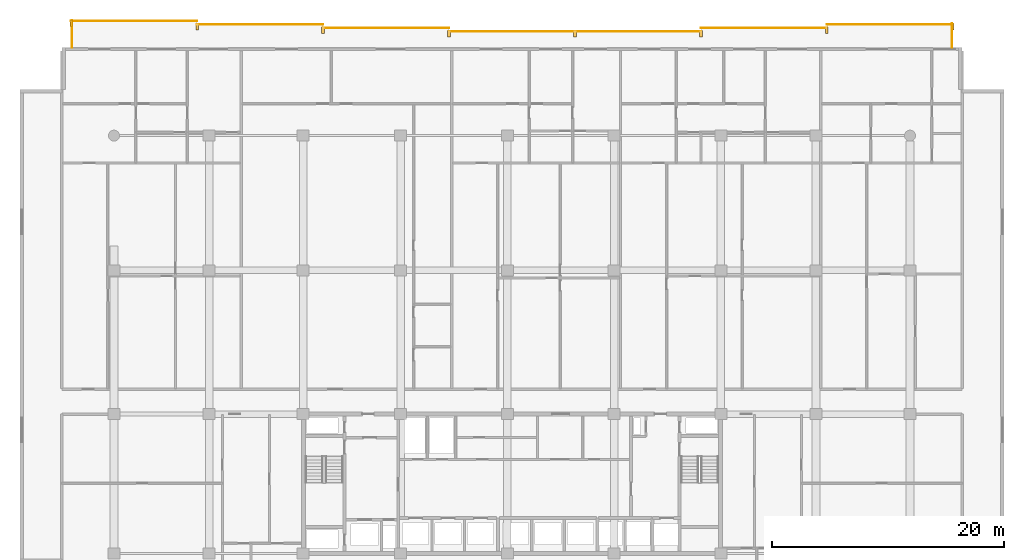
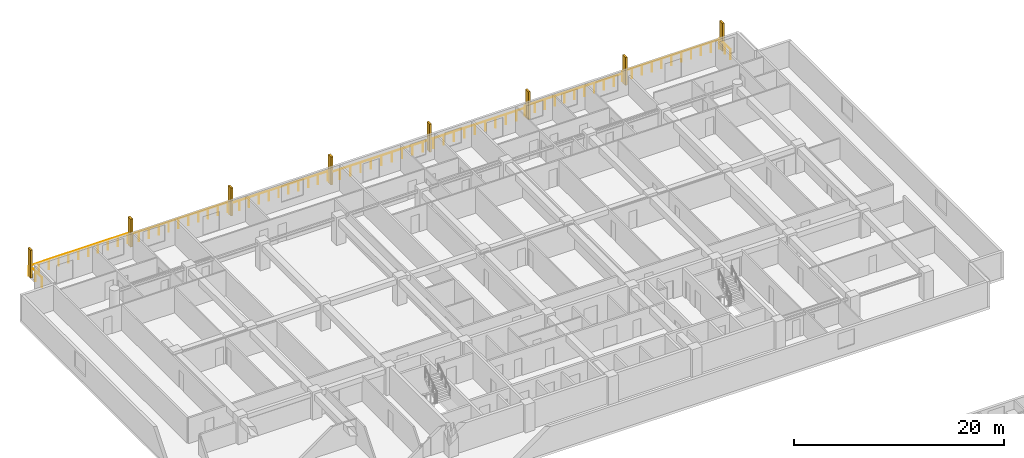
# One storey, part 24 of 24: 8 railings, 8 shading devices.
"""IFC4 building model written with IfcOpenShell, lengths in metres."""

from ifc_helpers import new_model, si_unit, direction, frame, origin, origin_2d, place, context, subcontext, project, spatial, rectangle, circle, extrude, material, type_object, element, save


model = new_model("IFC4")

# Units and contexts
model_context = context("Model", 3, precision=1e-05, world=origin(), true_north=direction((0.0, 1.0)))
body_context = subcontext(model_context, "Body", "Model", "MODEL_VIEW")
ifc_project = project(units=[si_unit("LENGTHUNIT", "METRE"), si_unit("AREAUNIT", "SQUARE_METRE"), si_unit("VOLUMEUNIT", "CUBIC_METRE"), si_unit("PLANEANGLEUNIT", "RADIAN"), si_unit("MASSUNIT", "GRAM", prefix="KILO")], contexts=[model_context])

# Site, building, storey
site_placement = place(None, origin())
site = spatial("IfcSite", under=ifc_project, at=site_placement, CompositionType="ELEMENT")
building_placement = place(site_placement, origin())
building = spatial("IfcBuilding", under=site, at=building_placement, Name="Korimba Cascade Residences", CompositionType="ELEMENT")
storey_placement = place(building_placement, frame((0.0, 0.0, 43.5)))
storey = spatial("IfcBuildingStorey", under=building, at=storey_placement, Name="L11", CompositionType="ELEMENT", Elevation=43.5)

# Railings
ifc_material_1 = material(Name="Laminated Glass and Bronze Balustrade", Category="glass")
railing_type = type_object("IfcRailingType", Name="RLG-LOG-1150", PredefinedType="BALUSTRADE", material=ifc_material_1)
railing_1_placement = place(storey_placement, frame((132.02001953125, 98.800048828125, 0.0)))
element("IfcRailing", 1, at=railing_1_placement, inside=storey, type_object=railing_type, Name="L11 Perimeter Guardrail RLG-L11-T1-LOG-01", PredefinedType="BALUSTRADE", context=body_context, shape_type="SweptSolid", body=[
    extrude(circle(Radius=0.02392578125, at=origin_2d()), frame((0.0, 0.0, 1.1259765625), z_axis=(0.0, 1.0, 0.0), x_axis=(-1.0, 0.0, 0.0)), (0.0, 0.0, 1.0), 2.050048828125),
    extrude(circle(Radius=0.02099609375, at=origin_2d()), origin(), (0.0, 0.0, 1.0), 1.101806640625),
    extrude(circle(Radius=0.02099609375, at=origin_2d()), frame((0.0, 1.02490234375, 0.0)), (0.0, 0.0, 1.0), 1.101806640625),
    extrude(circle(Radius=0.02099609375, at=origin_2d()), frame((0.0, 2.050048828125, 0.0)), (0.0, 0.0, 1.0), 1.101806640625),
])
for number, where, name in (
    (2, (132.10009765625, 100.77001953125, 0.0), "L11 Perimeter Guardrail RLG-L11-T1-LOG-02"),
    (3, (121.242919921875, 100.469970703125, 0.0), "L11 Perimeter Guardrail RLG-L11-T1-LOG-03"),
):
    element("IfcRailing", number, at=place(storey_placement, frame(where)), inside=storey, type_object=railing_type, Name=name, PredefinedType="BALUSTRADE", context=body_context, shape_type="SweptSolid", body=[
        extrude(circle(Radius=0.02392578125, at=origin_2d()), frame((0.0, 0.0, 1.1259765625), z_axis=(-1.0, 0.0, 0.0), x_axis=(0.0, -1.0, 0.0)), (0.0, 0.0, 1.0), 10.857177734375),
        extrude(circle(Radius=0.02099609375, at=origin_2d()), origin(), (0.0, 0.0, 1.0), 1.101806640625),
        extrude(circle(Radius=0.02099609375, at=origin_2d()), frame((-1.085693359375, 0.0, 0.0)), (0.0, 0.0, 1.0), 1.101806640625),
        extrude(circle(Radius=0.02099609375, at=origin_2d()), frame((-2.17138671875, 0.0, 0.0)), (0.0, 0.0, 1.0), 1.101806640625),
        extrude(circle(Radius=0.02099609375, at=origin_2d()), frame((-3.257080078125, 0.0, 0.0)), (0.0, 0.0, 1.0), 1.101806640625),
        extrude(circle(Radius=0.02099609375, at=origin_2d()), frame((-4.3427734375, 0.0, 0.0)), (0.0, 0.0, 1.0), 1.101806640625),
        extrude(circle(Radius=0.02099609375, at=origin_2d()), frame((-5.4287109375, 0.0, 0.0)), (0.0, 0.0, 1.0), 1.101806640625),
        extrude(circle(Radius=0.02099609375, at=origin_2d()), frame((-6.514404296875, 0.0, 0.0)), (0.0, 0.0, 1.0), 1.101806640625),
        extrude(circle(Radius=0.02099609375, at=origin_2d()), frame((-7.60009765625, 0.0, 0.0)), (0.0, 0.0, 1.0), 1.101806640625),
        extrude(circle(Radius=0.02099609375, at=origin_2d()), frame((-8.685791015625, 0.0, 0.0)), (0.0, 0.0, 1.0), 1.101806640625),
        extrude(circle(Radius=0.02099609375, at=origin_2d()), frame((-9.771484375, 0.0, 0.0)), (0.0, 0.0, 1.0), 1.101806640625),
        extrude(circle(Radius=0.02099609375, at=origin_2d()), frame((-10.857177734375, 0.0, 0.0)), (0.0, 0.0, 1.0), 1.101806640625),
    ])
railing_2_placement = place(storey_placement, frame((110.3857421875, 100.169921875, 0.0)))
element("IfcRailing", 4, at=railing_2_placement, inside=storey, type_object=railing_type, Name="L11 Perimeter Guardrail RLG-L11-T1-LOG-04", PredefinedType="BALUSTRADE", context=body_context, shape_type="SweptSolid", body=[
    extrude(circle(Radius=0.02392578125, at=origin_2d()), frame((0.0, 0.0, 1.1259765625), z_axis=(-1.0, 0.0, 0.0), x_axis=(0.0, -1.0, 0.0)), (0.0, 0.0, 1.0), 21.71435546875),
    extrude(circle(Radius=0.02099609375, at=origin_2d()), origin(), (0.0, 0.0, 1.0), 1.101806640625),
    extrude(circle(Radius=0.02099609375, at=origin_2d()), frame((-1.142822265625, 0.0, 0.0)), (0.0, 0.0, 1.0), 1.101806640625),
    extrude(circle(Radius=0.02099609375, at=origin_2d()), frame((-2.28564453125, 0.0, 0.0)), (0.0, 0.0, 1.0), 1.101806640625),
    extrude(circle(Radius=0.02099609375, at=origin_2d()), frame((-3.428466796875, 0.0, 0.0)), (0.0, 0.0, 1.0), 1.101806640625),
    extrude(circle(Radius=0.02099609375, at=origin_2d()), frame((-4.571533203125, 0.0, 0.0)), (0.0, 0.0, 1.0), 1.101806640625),
    extrude(circle(Radius=0.02099609375, at=origin_2d()), frame((-5.71435546875, 0.0, 0.0)), (0.0, 0.0, 1.0), 1.101806640625),
    extrude(circle(Radius=0.02099609375, at=origin_2d()), frame((-6.857177734375, 0.0, 0.0)), (0.0, 0.0, 1.0), 1.101806640625),
    extrude(circle(Radius=0.02099609375, at=origin_2d()), frame((-8.0, 0.0, 0.0)), (0.0, 0.0, 1.0), 1.101806640625),
    extrude(circle(Radius=0.02099609375, at=origin_2d()), frame((-9.142822265625, 0.0, 0.0)), (0.0, 0.0, 1.0), 1.101806640625),
    extrude(circle(Radius=0.02099609375, at=origin_2d()), frame((-10.28564453125, 0.0, 0.0)), (0.0, 0.0, 1.0), 1.101806640625),
    extrude(circle(Radius=0.02099609375, at=origin_2d()), frame((-11.4287109375, 0.0, 0.0)), (0.0, 0.0, 1.0), 1.101806640625),
    extrude(circle(Radius=0.02099609375, at=origin_2d()), frame((-12.571533203125, 0.0, 0.0)), (0.0, 0.0, 1.0), 1.101806640625),
    extrude(circle(Radius=0.02099609375, at=origin_2d()), frame((-13.71435546875, 0.0, 0.0)), (0.0, 0.0, 1.0), 1.101806640625),
    extrude(circle(Radius=0.02099609375, at=origin_2d()), frame((-14.857177734375, 0.0, 0.0)), (0.0, 0.0, 1.0), 1.101806640625),
    extrude(circle(Radius=0.02099609375, at=origin_2d()), frame((-16.0, 0.0, 0.0)), (0.0, 0.0, 1.0), 1.101806640625),
    extrude(circle(Radius=0.02099609375, at=origin_2d()), frame((-17.142822265625, 0.0, 0.0)), (0.0, 0.0, 1.0), 1.101806640625),
    extrude(circle(Radius=0.02099609375, at=origin_2d()), frame((-18.285888671875, 0.0, 0.0)), (0.0, 0.0, 1.0), 1.101806640625),
    extrude(circle(Radius=0.02099609375, at=origin_2d()), frame((-19.4287109375, 0.0, 0.0)), (0.0, 0.0, 1.0), 1.101806640625),
    extrude(circle(Radius=0.02099609375, at=origin_2d()), frame((-20.571533203125, 0.0, 0.0)), (0.0, 0.0, 1.0), 1.101806640625),
    extrude(circle(Radius=0.02099609375, at=origin_2d()), frame((-21.71435546875, 0.0, 0.0)), (0.0, 0.0, 1.0), 1.101806640625),
])
for number, where, name in (
    (5, (88.67138671875, 100.469970703125, 0.0), "L11 Perimeter Guardrail RLG-L11-T1-LOG-05"),
    (6, (77.814208984375, 100.77001953125, 0.0), "L11 Perimeter Guardrail RLG-L11-T1-LOG-06"),
):
    element("IfcRailing", number, at=place(storey_placement, frame(where)), inside=storey, type_object=railing_type, Name=name, PredefinedType="BALUSTRADE", context=body_context, shape_type="SweptSolid", body=[
        extrude(circle(Radius=0.02392578125, at=origin_2d()), frame((0.0, 0.0, 1.1259765625), z_axis=(-1.0, 0.0, 0.0), x_axis=(0.0, -1.0, 0.0)), (0.0, 0.0, 1.0), 10.857177734375),
        extrude(circle(Radius=0.02099609375, at=origin_2d()), origin(), (0.0, 0.0, 1.0), 1.101806640625),
        extrude(circle(Radius=0.02099609375, at=origin_2d()), frame((-1.085693359375, 0.0, 0.0)), (0.0, 0.0, 1.0), 1.101806640625),
        extrude(circle(Radius=0.02099609375, at=origin_2d()), frame((-2.17138671875, 0.0, 0.0)), (0.0, 0.0, 1.0), 1.101806640625),
        extrude(circle(Radius=0.02099609375, at=origin_2d()), frame((-3.257080078125, 0.0, 0.0)), (0.0, 0.0, 1.0), 1.101806640625),
        extrude(circle(Radius=0.02099609375, at=origin_2d()), frame((-4.3427734375, 0.0, 0.0)), (0.0, 0.0, 1.0), 1.101806640625),
        extrude(circle(Radius=0.02099609375, at=origin_2d()), frame((-5.4287109375, 0.0, 0.0)), (0.0, 0.0, 1.0), 1.101806640625),
        extrude(circle(Radius=0.02099609375, at=origin_2d()), frame((-6.514404296875, 0.0, 0.0)), (0.0, 0.0, 1.0), 1.101806640625),
        extrude(circle(Radius=0.02099609375, at=origin_2d()), frame((-7.60009765625, 0.0, 0.0)), (0.0, 0.0, 1.0), 1.101806640625),
        extrude(circle(Radius=0.02099609375, at=origin_2d()), frame((-8.685791015625, 0.0, 0.0)), (0.0, 0.0, 1.0), 1.101806640625),
        extrude(circle(Radius=0.02099609375, at=origin_2d()), frame((-9.771484375, 0.0, 0.0)), (0.0, 0.0, 1.0), 1.101806640625),
        extrude(circle(Radius=0.02099609375, at=origin_2d()), frame((-10.857177734375, 0.0, 0.0)), (0.0, 0.0, 1.0), 1.101806640625),
    ])
railing_3_placement = place(storey_placement, frame((66.95703125, 101.070068359375, 0.0)))
element("IfcRailing", 7, at=railing_3_placement, inside=storey, type_object=railing_type, Name="L11 Perimeter Guardrail RLG-L11-T1-LOG-07", PredefinedType="BALUSTRADE", context=body_context, shape_type="SweptSolid", body=[
    extrude(circle(Radius=0.02392578125, at=origin_2d()), frame((0.0, 0.0, 1.1259765625), z_axis=(-1.0, 0.0, 0.0), x_axis=(0.0, -1.0, 0.0)), (0.0, 0.0, 1.0), 10.85693359375),
    extrude(circle(Radius=0.02099609375, at=origin_2d()), origin(), (0.0, 0.0, 1.0), 1.101806640625),
    extrude(circle(Radius=0.02099609375, at=origin_2d()), frame((-1.085693359375, 0.0, 0.0)), (0.0, 0.0, 1.0), 1.101806640625),
    extrude(circle(Radius=0.02099609375, at=origin_2d()), frame((-2.17138671875, 0.0, 0.0)), (0.0, 0.0, 1.0), 1.101806640625),
    extrude(circle(Radius=0.02099609375, at=origin_2d()), frame((-3.257080078125, 0.0, 0.0)), (0.0, 0.0, 1.0), 1.101806640625),
    extrude(circle(Radius=0.02099609375, at=origin_2d()), frame((-4.3427734375, 0.0, 0.0)), (0.0, 0.0, 1.0), 1.101806640625),
    extrude(circle(Radius=0.02099609375, at=origin_2d()), frame((-5.428466796875, 0.0, 0.0)), (0.0, 0.0, 1.0), 1.101806640625),
    extrude(circle(Radius=0.02099609375, at=origin_2d()), frame((-6.51416015625, 0.0, 0.0)), (0.0, 0.0, 1.0), 1.101806640625),
    extrude(circle(Radius=0.02099609375, at=origin_2d()), frame((-7.599853515625, 0.0, 0.0)), (0.0, 0.0, 1.0), 1.101806640625),
    extrude(circle(Radius=0.02099609375, at=origin_2d()), frame((-8.685546875, 0.0, 0.0)), (0.0, 0.0, 1.0), 1.101806640625),
    extrude(circle(Radius=0.02099609375, at=origin_2d()), frame((-9.771240234375, 0.0, 0.0)), (0.0, 0.0, 1.0), 1.101806640625),
    extrude(circle(Radius=0.02099609375, at=origin_2d()), frame((-10.85693359375, 0.0, 0.0)), (0.0, 0.0, 1.0), 1.101806640625),
])
railing_4_placement = place(storey_placement, frame((56.179931640625, 101.14990234375, 0.0)))
element("IfcRailing", 8, at=railing_4_placement, inside=storey, type_object=railing_type, Name="L11 Perimeter Guardrail RLG-L11-T1-LOG-08", PredefinedType="BALUSTRADE", context=body_context, shape_type="SweptSolid", body=[
    extrude(circle(Radius=0.02392578125, at=origin_2d()), frame((0.0, 0.0, 1.1259765625), z_axis=(0.0, -1.0, 0.0), x_axis=(1.0, 0.0, 0.0)), (0.0, 0.0, 1.0), 2.349853515625),
    extrude(circle(Radius=0.02099609375, at=origin_2d()), origin(), (0.0, 0.0, 1.0), 1.101806640625),
    extrude(circle(Radius=0.02099609375, at=origin_2d()), frame((0.0, -1.1748046875, 0.0)), (0.0, 0.0, 1.0), 1.101806640625),
    extrude(circle(Radius=0.02099609375, at=origin_2d()), frame((0.0, -2.349853515625, 0.0)), (0.0, 0.0, 1.0), 1.101806640625),
])

# Shading devices
ifc_material_2 = material(Name="Honed Sandstone Precast Fin", Category="masonry")
shading_device_type = type_object("IfcShadingDeviceType", Name="SHD-FIN-550", PredefinedType="USERDEFINED", material=ifc_material_2)
for number, where, z_axis, x_axis, name in (
    (9, (56.10009765625, 100.875, 0.0), (0.0, 0.0, 1.0), (1.0, 0.0, 0.0), "L11 T1 Warm-Stone Loggia Fin 1"),
    (10, (66.95703125, 100.574951171875, 0.0), (0.0, 0.0, 1.0), (1.0, 0.0, 0.0), "L11 T1 Warm-Stone Loggia Fin 2"),
    (11, (77.814208984375, 100.27490234375, 0.0), (0.0, 0.0, 1.0), (1.0, 0.0, 0.0), "L11 T1 Warm-Stone Loggia Fin 3"),
    (12, (88.67138671875, 99.97509765625, 0.0), (0.0, 0.0, 1.0), (1.0, 0.0, 0.0), "L11 T1 Warm-Stone Loggia Fin 4"),
    (13, (99.528564453125, 99.97509765625, 0.0), (0.0, 0.0, 1.0), (1.0, 0.0, 0.0), "L11 T1 Warm-Stone Loggia Fin 5"),
    (14, (110.3857421875, 99.97509765625, 0.0), (0.0, 0.0, 1.0), (1.0, 0.0, 0.0), "L11 T1 Warm-Stone Loggia Fin 6"),
    (15, (121.242919921875, 100.27490234375, 0.0), (0.0, 0.0, 1.0), (1.0, 0.0, 0.0), "L11 T1 Warm-Stone Loggia Fin 7"),
    (16, (132.10009765625, 100.574951171875, 0.0), (0.0, 0.0, 1.0), (1.0, 0.0, 0.0), "L11 T1 Warm-Stone Loggia Fin 8"),
):
    element("IfcShadingDevice", number, at=place(storey_placement, frame(where, z_axis=z_axis, x_axis=x_axis)), inside=storey, type_object=shading_device_type, Name=name, ObjectType="FIN", PredefinedType="USERDEFINED", context=body_context, shape_type="SweptSolid", body=[
        extrude(rectangle(XDim=0.219970703125, YDim=0.550048828125, at=origin_2d()), origin(), (0.0, 0.0, 1.0), 3.25),
    ])

save(model, "model.ifc")
